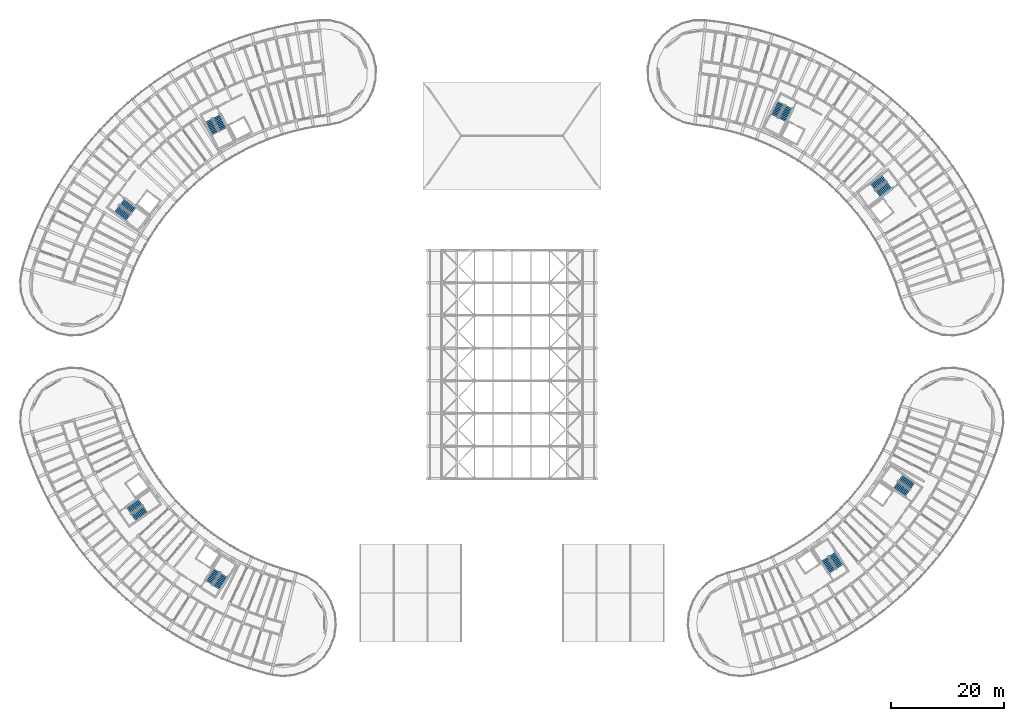
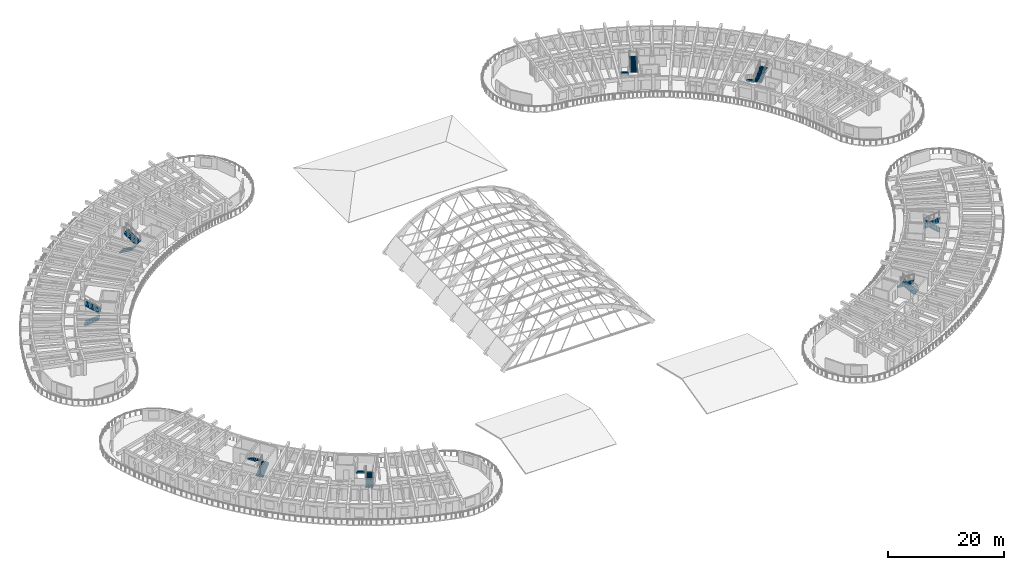
# One storey, part 60 of 81: 16 stair flights, 8 elements without a shape of their own.
"""IFC4 building model written with IfcOpenShell, lengths in metres."""

import ifcopenshell
import ifcopenshell.guid

model = None  # the IFC model being written
_history = None  # IfcOwnerHistory: only IFC2X3 demands one
_inside = {}  # id of a spatial element -> (the spatial element, [elements in it])
_under = {}  # id of a project, library or spatial element -> (it, [spatial elements below it])
_declared = {}  # id of a project -> (the project, [libraries it declares])
_typed = {}  # id of a type object -> (the type object, [elements of that type])
_made_of = {}  # id of a material, layer set ... -> (it, [elements and type objects made of it])


def new_model(schema):
    """Start an empty IFC model of exactly this schema.

    Asked for "IFC4X3", IfcOpenShell would pick the latest addendum, in which some entities
    have other attributes; the version numbers below select the first issue.
    IFC2X3 requires an IfcOwnerHistory on every rooted entity: one is made here for all.
    """
    global model, _history
    if schema == "IFC4X3":
        model = ifcopenshell.file(schema_version=(4, 3, 0, 0))
    else:
        model = ifcopenshell.file(schema=schema)
    _inside.clear()
    _under.clear()
    _declared.clear()
    _typed.clear()
    _made_of.clear()
    _history = None
    if model.schema == "IFC2X3":
        org = make("IfcOrganization", Name="unknown")
        user = make(
            "IfcPersonAndOrganization",
            ThePerson=make("IfcPerson", FamilyName="unknown"),
            TheOrganization=org,
        )
        app = make(
            "IfcApplication",
            ApplicationDeveloper=org,
            Version="unknown",
            ApplicationFullName="unknown",
            ApplicationIdentifier="unknown",
        )
        _history = make(
            "IfcOwnerHistory",
            OwningUser=user,
            OwningApplication=app,
            ChangeAction="ADDED",
            CreationDate=0,
        )
    return model


def make(cls, **values):
    """One entity of the class cls with the attributes given. An attribute that is None is left unset."""
    return model.create_entity(
        cls, **{name: value for name, value in values.items() if value is not None}
    )


def rooted(cls, **values):
    """An entity with a GlobalId (a new one), such as an element, a storey or a relation."""
    return make(cls, GlobalId=ifcopenshell.guid.new(), OwnerHistory=_history, **values)


def si_unit(unit_type, name, prefix=None):
    """IfcSIUnit, for example si_unit("LENGTHUNIT", "METRE", prefix="MILLI")."""
    return make("IfcSIUnit", UnitType=unit_type, Prefix=prefix, Name=name)


def assignment(units):
    """IfcUnitAssignment: the units of a project."""
    return None if units is None else make("IfcUnitAssignment", Units=units)


def point(xyz):
    """IfcCartesianPoint."""
    return None if xyz is None else make("IfcCartesianPoint", Coordinates=xyz)


def direction(xyz):
    """IfcDirection."""
    return None if xyz is None else make("IfcDirection", DirectionRatios=xyz)


def frame(location, z_axis=None, x_axis=None):
    """IfcAxis2Placement3D, a coordinate frame: its origin and axes. An axis left out is left unset."""
    return make(
        "IfcAxis2Placement3D",
        Location=point(location),
        Axis=direction(z_axis),
        RefDirection=direction(x_axis),
    )


def origin():
    """The frame at (0, 0, 0) with its axes left unset."""
    return frame((0.0, 0.0, 0.0))


def place(relative_to, where):
    """IfcLocalPlacement: puts the frame where relative to a parent placement (None: the world)."""
    return make(
        "IfcLocalPlacement", PlacementRelTo=relative_to, RelativePlacement=where
    )


def context(
    kind, dimensions, precision=None, world=None, true_north=None, identifier=None
):
    """IfcGeometricRepresentationContext, for example the 3D "Model" context."""
    return make(
        "IfcGeometricRepresentationContext",
        ContextIdentifier=identifier,
        ContextType=kind,
        CoordinateSpaceDimension=dimensions,
        Precision=precision,
        WorldCoordinateSystem=world,
        TrueNorth=true_north,
    )


def subcontext(parent, identifier, kind, view, scale=None):
    """IfcGeometricRepresentationSubContext, for example "Body" below "Model"."""
    return make(
        "IfcGeometricRepresentationSubContext",
        ContextIdentifier=identifier,
        ContextType=kind,
        ParentContext=parent,
        TargetScale=scale,
        TargetView=view,
    )


def project(units=None, contexts=None):
    """IfcProject with its units and contexts."""
    return rooted(
        "IfcProject",
        Name="project",
        RepresentationContexts=contexts,
        UnitsInContext=assignment(units),
    )


def spatial(cls, under=None, at=None, **own):
    """A site, building, storey or space (cls), placed at a placement, below another one or the project."""
    s = rooted(cls, ObjectPlacement=at, **own)
    if under is not None:
        _under.setdefault(under.id(), (under, []))[1].append(s)
    return s


def polyline(points):
    """IfcPolyline through the points."""
    return make("IfcPolyline", Points=[point(p) for p in points])


def outline(outer, holes=None, kind="AREA"):
    """IfcArbitraryClosedProfileDef: a profile drawn as a closed curve; with holes, ...WithVoids."""
    if holes is None:
        return make("IfcArbitraryClosedProfileDef", ProfileType=kind, OuterCurve=outer)
    return make(
        "IfcArbitraryProfileDefWithVoids",
        ProfileType=kind,
        OuterCurve=outer,
        InnerCurves=holes,
    )


def extrude(swept, where, along, depth):
    """IfcExtrudedAreaSolid: the profile swept, set in the frame where, extruded along a direction by depth."""
    return make(
        "IfcExtrudedAreaSolid",
        SweptArea=swept,
        Position=where,
        ExtrudedDirection=direction(along),
        Depth=depth,
    )


def shape(context_of_items, identifier, shape_type, items):
    """IfcShapeRepresentation: the items that make up one representation, for example the "Body"."""
    return make(
        "IfcShapeRepresentation",
        ContextOfItems=context_of_items,
        RepresentationIdentifier=identifier,
        RepresentationType=shape_type,
        Items=items,
    )


def material(Name=None, Category=None):
    """IfcMaterial."""
    return make("IfcMaterial", Name=Name, Category=Category)


def layer(
    of_material, thickness, ventilated=None, Name=None, Category=None, Priority=None
):
    """IfcMaterialLayer: one layer of a wall or slab, of a material (None: an air gap)."""
    return make(
        "IfcMaterialLayer",
        Material=of_material,
        LayerThickness=thickness,
        IsVentilated=ventilated,
        Name=Name,
        Category=Category,
        Priority=Priority,
    )


def layer_set(layers, Name=None):
    """IfcMaterialLayerSet."""
    return make("IfcMaterialLayerSet", MaterialLayers=layers, LayerSetName=Name)


def made_of(thing, what):
    """Note that an element or type object is made of a material, layer set ...; save() writes the relation."""
    if what is not None:
        _made_of.setdefault(what.id(), (what, []))[1].append(thing)
    return thing


def type_object(cls, material=None, **own):
    """A type object (cls), such as IfcWallType, which elements share."""
    return made_of(rooted(cls, **own), material)


def element(
    cls,
    number,
    at=None,
    inside=None,
    cuts=None,
    type_object=None,
    material=None,
    context=None,
    identifier="Body",
    shape_type=None,
    held_by="IfcProductDefinitionShape",
    body=None,
    shapes=None,
    **own,
):
    """One element of the class cls, such as IfcWall. Its Tag is "e" and its number.

    at: its placement. inside: the storey or other place that contains it. cuts: it is an
    opening in that element (IfcRelVoidsElement). A single representation is given by context,
    identifier, shape_type and body (its items); several are given by shapes. held_by: the class
    of the entity that holds the representations. save() writes the other relations.
    """
    e = rooted(cls, Tag="e%d" % number, ObjectPlacement=at, **own)
    if body is not None:
        shapes = [shape(context, identifier, shape_type, body)]
    if shapes is not None:
        e.Representation = make(held_by, Representations=shapes)
    if inside is not None:
        _inside.setdefault(inside.id(), (inside, []))[1].append(e)
    if cuts is not None:
        rooted(
            "IfcRelVoidsElement", RelatingBuildingElement=cuts, RelatedOpeningElement=e
        )
    if type_object is not None:
        _typed.setdefault(type_object.id(), (type_object, []))[1].append(e)
    return made_of(e, material)


def aggregate(whole, parts):
    """IfcRelAggregates: a whole, such as a stair, and the parts it consists of."""
    return rooted("IfcRelAggregates", RelatingObject=whole, RelatedObjects=parts)


def save(model, path):
    """Write the relations noted so far, then the file.

    IfcRelAggregates (storeys below a building ...), IfcRelContainedInSpatialStructure (elements
    in a storey), IfcRelDefinesByType, IfcRelAssociatesMaterial and IfcRelDeclares: one each for
    every whole, place, type object, material and project.
    """
    for whole, parts in _under.values():
        aggregate(whole, parts)
    for where, things in _inside.values():
        rooted(
            "IfcRelContainedInSpatialStructure",
            RelatedElements=things,
            RelatingStructure=where,
        )
    for kind, things in _typed.values():
        rooted("IfcRelDefinesByType", RelatedObjects=things, RelatingType=kind)
    for what, things in _made_of.values():
        rooted("IfcRelAssociatesMaterial", RelatedObjects=things, RelatingMaterial=what)
    for by, libraries in _declared.values():
        rooted("IfcRelDeclares", RelatingContext=by, RelatedDefinitions=libraries)
    model.write(path)


model = new_model("IFC4")

# Units and contexts
model_context = context("Model", 3, precision=1e-05, world=origin(), true_north=direction((0.0, 1.0)))
body_context = subcontext(model_context, "Body", "Model", "MODEL_VIEW")
ifc_project = project(units=[si_unit("LENGTHUNIT", "METRE"), si_unit("AREAUNIT", "SQUARE_METRE"), si_unit("VOLUMEUNIT", "CUBIC_METRE"), si_unit("PLANEANGLEUNIT", "RADIAN"), si_unit("MASSUNIT", "GRAM", prefix="KILO")], contexts=[model_context])

# Site, building, storey
site_placement = place(None, origin())
site = spatial("IfcSite", under=ifc_project, at=site_placement, CompositionType="ELEMENT")
building_placement = place(site_placement, origin())
building = spatial("IfcBuilding", under=site, at=building_placement, Name="Tanwirah Colonnade Gardens", CompositionType="ELEMENT")
storey_placement = place(building_placement, frame((0.0, 0.0, 8.840087890625)))
storey = spatial("IfcBuildingStorey", under=building, at=storey_placement, Name="L02", CompositionType="ELEMENT", Elevation=8.840087890625)

# Stair, stair flights
ifc_material = material(Name="Precast concrete C40/50", Category="concrete")
stair_type = type_object("IfcStairType", Name="ST-RES168", PredefinedType="HALF_TURN_STAIR", material=ifc_material)
stair_1_placement = place(storey_placement, origin())
stair_1 = element("IfcStair", 1, at=stair_1_placement, inside=storey, type_object=stair_type, Name="L02 Block A Core 1 Exit Stair", PredefinedType="HALF_TURN_STAIR")
ifc_layer = layer(ifc_material, 0.14990234375)
ifc_layer_set = layer_set([ifc_layer], Name="Precast concrete C40/50")
stair_flight_type = type_object("IfcStairFlightType", Name="FLT-RES150", PredefinedType="STRAIGHT", material=ifc_layer_set)
stair_flight_1_placement = place(storey_placement, frame((39.148681640625, 103.425048828125, 0.0), z_axis=(0.0, 0.0, 1.0), x_axis=(0.45399049974, -0.891006524188, 0.0)))
stair_flight_1 = element("IfcStairFlight", 2, at=stair_flight_1_placement, type_object=stair_flight_type, Name="ST-A1 flight 1", NumberOfRisers=10, NumberOfTreads=9, PredefinedType="STRAIGHT", RiserHeight=0.168, TreadLength=0.285, context=body_context, shape_type="SweptSolid", body=[
    extrude(outline(polyline([(-0.0048828125, 0.0), (0.0, 0.16796875), (0.284912109375, 0.16796875), (0.284912109375, 0.3359375), (0.570068359375, 0.3359375), (0.570068359375, 0.50390625), (0.85498046875, 0.50390625), (0.85498046875, 0.672119140625), (1.139892578125, 0.672119140625), (1.139892578125, 0.840087890625), (1.425048828125, 0.840087890625), (1.425048828125, 1.008056640625), (1.7099609375, 1.008056640625), (1.7099609375, 1.176025390625), (1.9951171875, 1.176025390625), (1.9951171875, 1.343994140625), (2.280029296875, 1.343994140625), (2.280029296875, 1.511962890625), (2.56494140625, 1.511962890625), (2.570068359375, 1.679931640625), (2.570068359375, 1.337890625), (0.30029296875, 0.0), (-0.0048828125, 0.0)])), frame((0.0, 0.68994140625, 0.0), z_axis=(0.0, -1.0, 0.0), x_axis=(1.0, 0.0, 0.0)), (0.0, 0.0, 1.0), 1.3798828125),
])
stair_flight_2_placement = place(storey_placement, frame((41.685302734375, 101.838623046875, 1.679931640625), z_axis=(0.0, 0.0, 1.0), x_axis=(-0.45399049974, 0.891006524188, 0.0)))
stair_flight_2 = element("IfcStairFlight", 3, at=stair_flight_2_placement, type_object=stair_flight_type, Name="ST-A1 flight 2", NumberOfRisers=10, NumberOfTreads=9, PredefinedType="STRAIGHT", RiserHeight=0.168, TreadLength=0.285, context=body_context, shape_type="SweptSolid", body=[
    extrude(outline(polyline([(-0.0048828125, 0.0), (0.0, 0.16796875), (0.284912109375, 0.16796875), (0.284912109375, 0.3359375), (0.570068359375, 0.3359375), (0.570068359375, 0.50390625), (0.85498046875, 0.50390625), (0.85498046875, 0.672119140625), (1.139892578125, 0.672119140625), (1.139892578125, 0.840087890625), (1.425048828125, 0.840087890625), (1.425048828125, 1.008056640625), (1.7099609375, 1.008056640625), (1.7099609375, 1.176025390625), (1.9951171875, 1.176025390625), (1.9951171875, 1.343994140625), (2.280029296875, 1.343994140625), (2.280029296875, 1.511962890625), (2.56494140625, 1.511962890625), (2.570068359375, 1.679931640625), (2.570068359375, 1.337890625), (0.30029296875, 0.0), (-0.0048828125, 0.0)])), frame((0.0, 0.68994140625, 0.0), z_axis=(0.0, -1.0, 0.0), x_axis=(1.0, 0.0, 0.0)), (0.0, 0.0, 1.0), 1.3798828125),
])
aggregate(stair_1, [stair_flight_1, stair_flight_2])

stair_2_placement = place(storey_placement, origin())
stair_2 = element("IfcStair", 4, at=stair_2_placement, inside=storey, type_object=stair_type, Name="L02 Block A Core 2 Exit Stair", PredefinedType="HALF_TURN_STAIR")
stair_flight_3_placement = place(storey_placement, frame((22.81640625, 87.7177734375, 0.0), z_axis=(0.0, 0.0, 1.0), x_axis=(0.798635510047, -0.601815023152, 0.0)))
stair_flight_3 = element("IfcStairFlight", 5, at=stair_flight_3_placement, type_object=stair_flight_type, Name="ST-A2 flight 1", NumberOfRisers=10, NumberOfTreads=9, PredefinedType="STRAIGHT", RiserHeight=0.168, TreadLength=0.285, context=body_context, shape_type="SweptSolid", body=[
    extrude(outline(polyline([(-0.0048828125, 0.0), (0.0, 0.16796875), (0.284912109375, 0.16796875), (0.284912109375, 0.3359375), (0.570068359375, 0.3359375), (0.570068359375, 0.50390625), (0.85498046875, 0.50390625), (0.85498046875, 0.672119140625), (1.139892578125, 0.672119140625), (1.139892578125, 0.840087890625), (1.425048828125, 0.840087890625), (1.425048828125, 1.008056640625), (1.7099609375, 1.008056640625), (1.7099609375, 1.176025390625), (1.9951171875, 1.176025390625), (1.9951171875, 1.343994140625), (2.280029296875, 1.343994140625), (2.280029296875, 1.511962890625), (2.56494140625, 1.511962890625), (2.570068359375, 1.679931640625), (2.570068359375, 1.337890625), (0.30029296875, 0.0), (-0.0048828125, 0.0)])), frame((0.0, 0.68994140625, 0.0), z_axis=(0.0, -1.0, 0.0), x_axis=(1.0, 0.0, 0.0)), (0.0, 0.0, 1.0), 1.3798828125),
])
stair_flight_4_placement = place(storey_placement, frame((25.791748046875, 87.404052734375, 1.679931640625), z_axis=(0.0, 0.0, 1.0), x_axis=(-0.798635510047, 0.601815023152, 0.0)))
stair_flight_4 = element("IfcStairFlight", 6, at=stair_flight_4_placement, type_object=stair_flight_type, Name="ST-A2 flight 2", NumberOfRisers=10, NumberOfTreads=9, PredefinedType="STRAIGHT", RiserHeight=0.168, TreadLength=0.285, context=body_context, shape_type="SweptSolid", body=[
    extrude(outline(polyline([(-0.0048828125, 0.0), (0.0, 0.16796875), (0.284912109375, 0.16796875), (0.284912109375, 0.3359375), (0.570068359375, 0.3359375), (0.570068359375, 0.50390625), (0.85498046875, 0.50390625), (0.85498046875, 0.672119140625), (1.139892578125, 0.672119140625), (1.139892578125, 0.840087890625), (1.425048828125, 0.840087890625), (1.425048828125, 1.008056640625), (1.7099609375, 1.008056640625), (1.7099609375, 1.176025390625), (1.9951171875, 1.176025390625), (1.9951171875, 1.343994140625), (2.280029296875, 1.343994140625), (2.280029296875, 1.511962890625), (2.56494140625, 1.511962890625), (2.570068359375, 1.679931640625), (2.570068359375, 1.337890625), (0.30029296875, 0.0), (-0.0048828125, 0.0)])), frame((0.0, 0.68994140625, 0.0), z_axis=(0.0, -1.0, 0.0), x_axis=(1.0, 0.0, 0.0)), (0.0, 0.0, 1.0), 1.3798828125),
])
aggregate(stair_2, [stair_flight_3, stair_flight_4])

stair_3_placement = place(storey_placement, origin())
stair_3 = element("IfcStair", 7, at=stair_3_placement, inside=storey, type_object=stair_type, Name="L02 Block B Core 1 Exit Stair", PredefinedType="HALF_TURN_STAIR")
stair_flight_5_placement = place(storey_placement, frame((159.079345703125, 93.16455078125, 0.0), z_axis=(0.0, 0.0, 1.0), x_axis=(-0.798635510047, -0.601815023152, 0.0)))
stair_flight_5 = element("IfcStairFlight", 8, at=stair_flight_5_placement, type_object=stair_flight_type, Name="ST-B1 flight 1", NumberOfRisers=10, NumberOfTreads=9, PredefinedType="STRAIGHT", RiserHeight=0.168, TreadLength=0.285, context=body_context, shape_type="SweptSolid", body=[
    extrude(outline(polyline([(-0.0048828125, 0.0), (0.0, 0.16796875), (0.284912109375, 0.16796875), (0.284912109375, 0.3359375), (0.570068359375, 0.3359375), (0.570068359375, 0.50390625), (0.85498046875, 0.50390625), (0.85498046875, 0.672119140625), (1.139892578125, 0.672119140625), (1.139892578125, 0.840087890625), (1.425048828125, 0.840087890625), (1.425048828125, 1.008056640625), (1.7099609375, 1.008056640625), (1.7099609375, 1.176025390625), (1.9951171875, 1.176025390625), (1.9951171875, 1.343994140625), (2.280029296875, 1.343994140625), (2.280029296875, 1.511962890625), (2.56494140625, 1.511962890625), (2.570068359375, 1.679931640625), (2.570068359375, 1.337890625), (0.30029296875, 0.0), (-0.0048828125, 0.0)])), frame((0.0, 0.68994140625, 0.0), z_axis=(0.0, -1.0, 0.0), x_axis=(1.0, 0.0, 0.0)), (0.0, 0.0, 1.0), 1.3798828125),
])
stair_flight_6_placement = place(storey_placement, frame((157.95751953125, 90.39111328125, 1.679931640625), z_axis=(0.0, 0.0, 1.0), x_axis=(0.798635510047, 0.601815023152, 0.0)))
stair_flight_6 = element("IfcStairFlight", 9, at=stair_flight_6_placement, type_object=stair_flight_type, Name="ST-B1 flight 2", NumberOfRisers=10, NumberOfTreads=9, PredefinedType="STRAIGHT", RiserHeight=0.168, TreadLength=0.285, context=body_context, shape_type="SweptSolid", body=[
    extrude(outline(polyline([(-0.0048828125, 0.0), (0.0, 0.16796875), (0.284912109375, 0.16796875), (0.284912109375, 0.3359375), (0.570068359375, 0.3359375), (0.570068359375, 0.50390625), (0.85498046875, 0.50390625), (0.85498046875, 0.672119140625), (1.139892578125, 0.672119140625), (1.139892578125, 0.840087890625), (1.425048828125, 0.840087890625), (1.425048828125, 1.008056640625), (1.7099609375, 1.008056640625), (1.7099609375, 1.176025390625), (1.9951171875, 1.176025390625), (1.9951171875, 1.343994140625), (2.280029296875, 1.343994140625), (2.280029296875, 1.511962890625), (2.56494140625, 1.511962890625), (2.570068359375, 1.679931640625), (2.570068359375, 1.337890625), (0.30029296875, 0.0), (-0.0048828125, 0.0)])), frame((0.0, 0.68994140625, 0.0), z_axis=(0.0, -1.0, 0.0), x_axis=(1.0, 0.0, 0.0)), (0.0, 0.0, 1.0), 1.3798828125),
])
aggregate(stair_3, [stair_flight_5, stair_flight_6])

stair_4_placement = place(storey_placement, origin())
stair_4 = element("IfcStair", 10, at=stair_4_placement, inside=storey, type_object=stair_type, Name="L02 Block B Core 2 Exit Stair", PredefinedType="HALF_TURN_STAIR")
stair_flight_7_placement = place(storey_placement, frame((140.774658203125, 106.521240234375, 0.0), z_axis=(0.0, 0.0, 1.0), x_axis=(-0.45399049974, -0.891006524188, 0.0)))
stair_flight_7 = element("IfcStairFlight", 11, at=stair_flight_7_placement, type_object=stair_flight_type, Name="ST-B2 flight 1", NumberOfRisers=10, NumberOfTreads=9, PredefinedType="STRAIGHT", RiserHeight=0.168, TreadLength=0.285, context=body_context, shape_type="SweptSolid", body=[
    extrude(outline(polyline([(-0.0048828125, 0.0), (0.0, 0.16796875), (0.284912109375, 0.16796875), (0.284912109375, 0.3359375), (0.570068359375, 0.3359375), (0.570068359375, 0.50390625), (0.85498046875, 0.50390625), (0.85498046875, 0.672119140625), (1.139892578125, 0.672119140625), (1.139892578125, 0.840087890625), (1.425048828125, 0.840087890625), (1.425048828125, 1.008056640625), (1.7099609375, 1.008056640625), (1.7099609375, 1.176025390625), (1.9951171875, 1.176025390625), (1.9951171875, 1.343994140625), (2.280029296875, 1.343994140625), (2.280029296875, 1.511962890625), (2.56494140625, 1.511962890625), (2.570068359375, 1.679931640625), (2.570068359375, 1.337890625), (0.30029296875, 0.0), (-0.0048828125, 0.0)])), frame((0.0, 0.68994140625, 0.0), z_axis=(0.0, -1.0, 0.0), x_axis=(1.0, 0.0, 0.0)), (0.0, 0.0, 1.0), 1.3798828125),
])
stair_flight_8_placement = place(storey_placement, frame((140.982421875, 103.53662109375, 1.679931640625), z_axis=(0.0, 0.0, 1.0), x_axis=(0.45399049974, 0.891006524188, 0.0)))
stair_flight_8 = element("IfcStairFlight", 12, at=stair_flight_8_placement, type_object=stair_flight_type, Name="ST-B2 flight 2", NumberOfRisers=10, NumberOfTreads=9, PredefinedType="STRAIGHT", RiserHeight=0.168, TreadLength=0.285, context=body_context, shape_type="SweptSolid", body=[
    extrude(outline(polyline([(-0.0048828125, 0.0), (0.0, 0.16796875), (0.284912109375, 0.16796875), (0.284912109375, 0.3359375), (0.570068359375, 0.3359375), (0.570068359375, 0.50390625), (0.85498046875, 0.50390625), (0.85498046875, 0.672119140625), (1.139892578125, 0.672119140625), (1.139892578125, 0.840087890625), (1.425048828125, 0.840087890625), (1.425048828125, 1.008056640625), (1.7099609375, 1.008056640625), (1.7099609375, 1.176025390625), (1.9951171875, 1.176025390625), (1.9951171875, 1.343994140625), (2.280029296875, 1.343994140625), (2.280029296875, 1.511962890625), (2.56494140625, 1.511962890625), (2.570068359375, 1.679931640625), (2.570068359375, 1.337890625), (0.30029296875, 0.0), (-0.0048828125, 0.0)])), frame((0.0, 0.68994140625, 0.0), z_axis=(0.0, -1.0, 0.0), x_axis=(1.0, 0.0, 0.0)), (0.0, 0.0, 1.0), 1.3798828125),
])
aggregate(stair_4, [stair_flight_7, stair_flight_8])

stair_5_placement = place(storey_placement, origin())
stair_5 = element("IfcStair", 13, at=stair_5_placement, inside=storey, type_object=stair_type, Name="L02 Block C Core 1 Exit Stair", PredefinedType="HALF_TURN_STAIR")
stair_flight_9_placement = place(storey_placement, frame((25.79345703125, 32.884521484375, 0.0), z_axis=(0.0, 0.0, 1.0), x_axis=(0.819152044289, 0.573576436351, 0.0)))
stair_flight_9 = element("IfcStairFlight", 14, at=stair_flight_9_placement, type_object=stair_flight_type, Name="ST-C1 flight 1", NumberOfRisers=10, NumberOfTreads=9, PredefinedType="STRAIGHT", RiserHeight=0.168, TreadLength=0.285, context=body_context, shape_type="SweptSolid", body=[
    extrude(outline(polyline([(-0.0048828125, 0.0), (0.0, 0.16796875), (0.284912109375, 0.16796875), (0.284912109375, 0.3359375), (0.570068359375, 0.3359375), (0.570068359375, 0.50390625), (0.85498046875, 0.50390625), (0.85498046875, 0.672119140625), (1.139892578125, 0.672119140625), (1.139892578125, 0.840087890625), (1.425048828125, 0.840087890625), (1.425048828125, 1.008056640625), (1.7099609375, 1.008056640625), (1.7099609375, 1.176025390625), (1.9951171875, 1.176025390625), (1.9951171875, 1.343994140625), (2.280029296875, 1.343994140625), (2.280029296875, 1.511962890625), (2.56494140625, 1.511962890625), (2.570068359375, 1.679931640625), (2.570068359375, 1.337890625), (0.30029296875, 0.0), (-0.0048828125, 0.0)])), frame((0.0, 0.68994140625, 0.0), z_axis=(0.0, -1.0, 0.0), x_axis=(1.0, 0.0, 0.0)), (0.0, 0.0, 1.0), 1.3798828125),
])
stair_flight_10_placement = place(storey_placement, frame((27.01123046875, 35.6171875, 1.679931640625), z_axis=(0.0, 0.0, 1.0), x_axis=(-0.819152044289, -0.573576436351, 0.0)))
stair_flight_10 = element("IfcStairFlight", 15, at=stair_flight_10_placement, type_object=stair_flight_type, Name="ST-C1 flight 2", NumberOfRisers=10, NumberOfTreads=9, PredefinedType="STRAIGHT", RiserHeight=0.168, TreadLength=0.285, context=body_context, shape_type="SweptSolid", body=[
    extrude(outline(polyline([(-0.0048828125, 0.0), (0.0, 0.16796875), (0.284912109375, 0.16796875), (0.284912109375, 0.3359375), (0.570068359375, 0.3359375), (0.570068359375, 0.50390625), (0.85498046875, 0.50390625), (0.85498046875, 0.672119140625), (1.139892578125, 0.672119140625), (1.139892578125, 0.840087890625), (1.425048828125, 0.840087890625), (1.425048828125, 1.008056640625), (1.7099609375, 1.008056640625), (1.7099609375, 1.176025390625), (1.9951171875, 1.176025390625), (1.9951171875, 1.343994140625), (2.280029296875, 1.343994140625), (2.280029296875, 1.511962890625), (2.56494140625, 1.511962890625), (2.570068359375, 1.679931640625), (2.570068359375, 1.337890625), (0.30029296875, 0.0), (-0.0048828125, 0.0)])), frame((0.0, 0.68994140625, 0.0), z_axis=(0.0, -1.0, 0.0), x_axis=(1.0, 0.0, 0.0)), (0.0, 0.0, 1.0), 1.3798828125),
])
aggregate(stair_5, [stair_flight_9, stair_flight_10])

stair_6_placement = place(storey_placement, origin())
stair_6 = element("IfcStair", 16, at=stair_6_placement, inside=storey, type_object=stair_type, Name="L02 Block C Core 2 Exit Stair", PredefinedType="HALF_TURN_STAIR")
stair_flight_11_placement = place(storey_placement, frame((40.49169921875, 20.49951171875, 0.0), z_axis=(0.0, 0.0, 1.0), x_axis=(0.544639035015, 0.838670567945, 0.0)))
stair_flight_11 = element("IfcStairFlight", 17, at=stair_flight_11_placement, type_object=stair_flight_type, Name="ST-C2 flight 1", NumberOfRisers=10, NumberOfTreads=9, PredefinedType="STRAIGHT", RiserHeight=0.168, TreadLength=0.285, context=body_context, shape_type="SweptSolid", body=[
    extrude(outline(polyline([(-0.0048828125, 0.0), (0.0, 0.16796875), (0.284912109375, 0.16796875), (0.284912109375, 0.3359375), (0.570068359375, 0.3359375), (0.570068359375, 0.50390625), (0.85498046875, 0.50390625), (0.85498046875, 0.672119140625), (1.139892578125, 0.672119140625), (1.139892578125, 0.840087890625), (1.425048828125, 0.840087890625), (1.425048828125, 1.008056640625), (1.7099609375, 1.008056640625), (1.7099609375, 1.176025390625), (1.9951171875, 1.176025390625), (1.9951171875, 1.343994140625), (2.280029296875, 1.343994140625), (2.280029296875, 1.511962890625), (2.56494140625, 1.511962890625), (2.570068359375, 1.679931640625), (2.570068359375, 1.337890625), (0.30029296875, 0.0), (-0.0048828125, 0.0)])), frame((0.0, 0.68994140625, 0.0), z_axis=(0.0, -1.0, 0.0), x_axis=(1.0, 0.0, 0.0)), (0.0, 0.0, 1.0), 1.3798828125),
])
stair_flight_12_placement = place(storey_placement, frame((40.59716796875, 23.489501953125, 1.679931640625), z_axis=(0.0, 0.0, 1.0), x_axis=(-0.544639035015, -0.838670567945, 0.0)))
stair_flight_12 = element("IfcStairFlight", 18, at=stair_flight_12_placement, type_object=stair_flight_type, Name="ST-C2 flight 2", NumberOfRisers=10, NumberOfTreads=9, PredefinedType="STRAIGHT", RiserHeight=0.168, TreadLength=0.285, context=body_context, shape_type="SweptSolid", body=[
    extrude(outline(polyline([(-0.0048828125, 0.0), (0.0, 0.16796875), (0.284912109375, 0.16796875), (0.284912109375, 0.3359375), (0.570068359375, 0.3359375), (0.570068359375, 0.50390625), (0.85498046875, 0.50390625), (0.85498046875, 0.672119140625), (1.139892578125, 0.672119140625), (1.139892578125, 0.840087890625), (1.425048828125, 0.840087890625), (1.425048828125, 1.008056640625), (1.7099609375, 1.008056640625), (1.7099609375, 1.176025390625), (1.9951171875, 1.176025390625), (1.9951171875, 1.343994140625), (2.280029296875, 1.343994140625), (2.280029296875, 1.511962890625), (2.56494140625, 1.511962890625), (2.570068359375, 1.679931640625), (2.570068359375, 1.337890625), (0.30029296875, 0.0), (-0.0048828125, 0.0)])), frame((0.0, 0.68994140625, 0.0), z_axis=(0.0, -1.0, 0.0), x_axis=(1.0, 0.0, 0.0)), (0.0, 0.0, 1.0), 1.3798828125),
])
aggregate(stair_6, [stair_flight_11, stair_flight_12])

stair_7_placement = place(storey_placement, origin())
stair_7 = element("IfcStair", 19, at=stair_7_placement, inside=storey, type_object=stair_type, Name="L02 Block D Core 1 Exit Stair", PredefinedType="HALF_TURN_STAIR")
stair_flight_13_placement = place(storey_placement, frame((151.22802734375, 24.214111328125, 0.0), z_axis=(0.0, 0.0, 1.0), x_axis=(-0.544639035015, 0.838670567945, 0.0)))
stair_flight_13 = element("IfcStairFlight", 20, at=stair_flight_13_placement, type_object=stair_flight_type, Name="ST-D1 flight 1", NumberOfRisers=10, NumberOfTreads=9, PredefinedType="STRAIGHT", RiserHeight=0.168, TreadLength=0.285, context=body_context, shape_type="SweptSolid", body=[
    extrude(outline(polyline([(-0.0048828125, 0.0), (0.0, 0.16796875), (0.284912109375, 0.16796875), (0.284912109375, 0.3359375), (0.570068359375, 0.3359375), (0.570068359375, 0.50390625), (0.85498046875, 0.50390625), (0.85498046875, 0.672119140625), (1.139892578125, 0.672119140625), (1.139892578125, 0.840087890625), (1.425048828125, 0.840087890625), (1.425048828125, 1.008056640625), (1.7099609375, 1.008056640625), (1.7099609375, 1.176025390625), (1.9951171875, 1.176025390625), (1.9951171875, 1.343994140625), (2.280029296875, 1.343994140625), (2.280029296875, 1.511962890625), (2.56494140625, 1.511962890625), (2.570068359375, 1.679931640625), (2.570068359375, 1.337890625), (0.30029296875, 0.0), (-0.0048828125, 0.0)])), frame((0.0, 0.68994140625, 0.0), z_axis=(0.0, -1.0, 0.0), x_axis=(1.0, 0.0, 0.0)), (0.0, 0.0, 1.0), 1.3798828125),
])
stair_flight_14_placement = place(storey_placement, frame((148.539306640625, 25.5263671875, 1.679931640625), z_axis=(0.0, 0.0, 1.0), x_axis=(0.544639035015, -0.838670567945, 0.0)))
stair_flight_14 = element("IfcStairFlight", 21, at=stair_flight_14_placement, type_object=stair_flight_type, Name="ST-D1 flight 2", NumberOfRisers=10, NumberOfTreads=9, PredefinedType="STRAIGHT", RiserHeight=0.168, TreadLength=0.285, context=body_context, shape_type="SweptSolid", body=[
    extrude(outline(polyline([(-0.0048828125, 0.0), (0.0, 0.16796875), (0.284912109375, 0.16796875), (0.284912109375, 0.3359375), (0.570068359375, 0.3359375), (0.570068359375, 0.50390625), (0.85498046875, 0.50390625), (0.85498046875, 0.672119140625), (1.139892578125, 0.672119140625), (1.139892578125, 0.840087890625), (1.425048828125, 0.840087890625), (1.425048828125, 1.008056640625), (1.7099609375, 1.008056640625), (1.7099609375, 1.176025390625), (1.9951171875, 1.176025390625), (1.9951171875, 1.343994140625), (2.280029296875, 1.343994140625), (2.280029296875, 1.511962890625), (2.56494140625, 1.511962890625), (2.570068359375, 1.679931640625), (2.570068359375, 1.337890625), (0.30029296875, 0.0), (-0.0048828125, 0.0)])), frame((0.0, 0.68994140625, 0.0), z_axis=(0.0, -1.0, 0.0), x_axis=(1.0, 0.0, 0.0)), (0.0, 0.0, 1.0), 1.3798828125),
])
aggregate(stair_7, [stair_flight_13, stair_flight_14])

stair_8_placement = place(storey_placement, origin())
stair_8 = element("IfcStair", 22, at=stair_8_placement, inside=storey, type_object=stair_type, Name="L02 Block D Core 2 Exit Stair", PredefinedType="HALF_TURN_STAIR")
stair_flight_15_placement = place(storey_placement, frame((164.1181640625, 38.47119140625, 0.0), z_axis=(0.0, 0.0, 1.0), x_axis=(-0.819152044289, 0.573576436351, 0.0)))
stair_flight_15 = element("IfcStairFlight", 23, at=stair_flight_15_placement, type_object=stair_flight_type, Name="ST-D2 flight 1", NumberOfRisers=10, NumberOfTreads=9, PredefinedType="STRAIGHT", RiserHeight=0.168, TreadLength=0.285, context=body_context, shape_type="SweptSolid", body=[
    extrude(outline(polyline([(-0.0048828125, 0.0), (0.0, 0.16796875), (0.284912109375, 0.16796875), (0.284912109375, 0.3359375), (0.570068359375, 0.3359375), (0.570068359375, 0.50390625), (0.85498046875, 0.50390625), (0.85498046875, 0.672119140625), (1.139892578125, 0.672119140625), (1.139892578125, 0.840087890625), (1.425048828125, 0.840087890625), (1.425048828125, 1.008056640625), (1.7099609375, 1.008056640625), (1.7099609375, 1.176025390625), (1.9951171875, 1.176025390625), (1.9951171875, 1.343994140625), (2.280029296875, 1.343994140625), (2.280029296875, 1.511962890625), (2.56494140625, 1.511962890625), (2.570068359375, 1.679931640625), (2.570068359375, 1.337890625), (0.30029296875, 0.0), (-0.0048828125, 0.0)])), frame((0.0, 0.68994140625, 0.0), z_axis=(0.0, -1.0, 0.0), x_axis=(1.0, 0.0, 0.0)), (0.0, 0.0, 1.0), 1.3798828125),
])
stair_flight_16_placement = place(storey_placement, frame((161.1337890625, 38.680908203125, 1.679931640625), z_axis=(0.0, 0.0, 1.0), x_axis=(0.819152044289, -0.573576436351, 0.0)))
stair_flight_16 = element("IfcStairFlight", 24, at=stair_flight_16_placement, type_object=stair_flight_type, Name="ST-D2 flight 2", NumberOfRisers=10, NumberOfTreads=9, PredefinedType="STRAIGHT", RiserHeight=0.168, TreadLength=0.285, context=body_context, shape_type="SweptSolid", body=[
    extrude(outline(polyline([(-0.0048828125, 0.0), (0.0, 0.16796875), (0.284912109375, 0.16796875), (0.284912109375, 0.3359375), (0.570068359375, 0.3359375), (0.570068359375, 0.50390625), (0.85498046875, 0.50390625), (0.85498046875, 0.672119140625), (1.139892578125, 0.672119140625), (1.139892578125, 0.840087890625), (1.425048828125, 0.840087890625), (1.425048828125, 1.008056640625), (1.7099609375, 1.008056640625), (1.7099609375, 1.176025390625), (1.9951171875, 1.176025390625), (1.9951171875, 1.343994140625), (2.280029296875, 1.343994140625), (2.280029296875, 1.511962890625), (2.56494140625, 1.511962890625), (2.570068359375, 1.679931640625), (2.570068359375, 1.337890625), (0.30029296875, 0.0), (-0.0048828125, 0.0)])), frame((0.0, 0.68994140625, 0.0), z_axis=(0.0, -1.0, 0.0), x_axis=(1.0, 0.0, 0.0)), (0.0, 0.0, 1.0), 1.3798828125),
])
aggregate(stair_8, [stair_flight_15, stair_flight_16])

save(model, "model.ifc")
